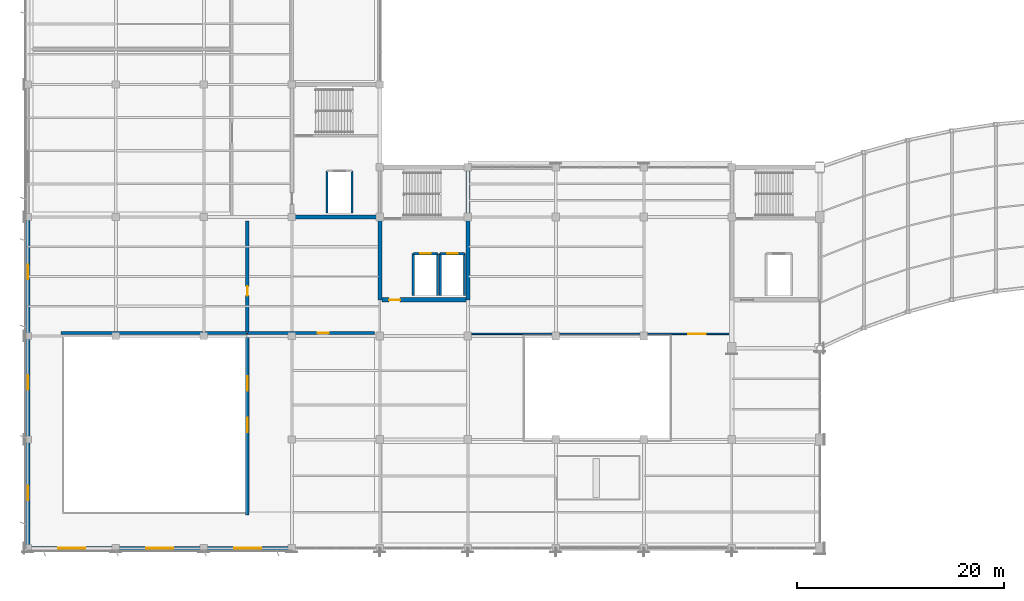
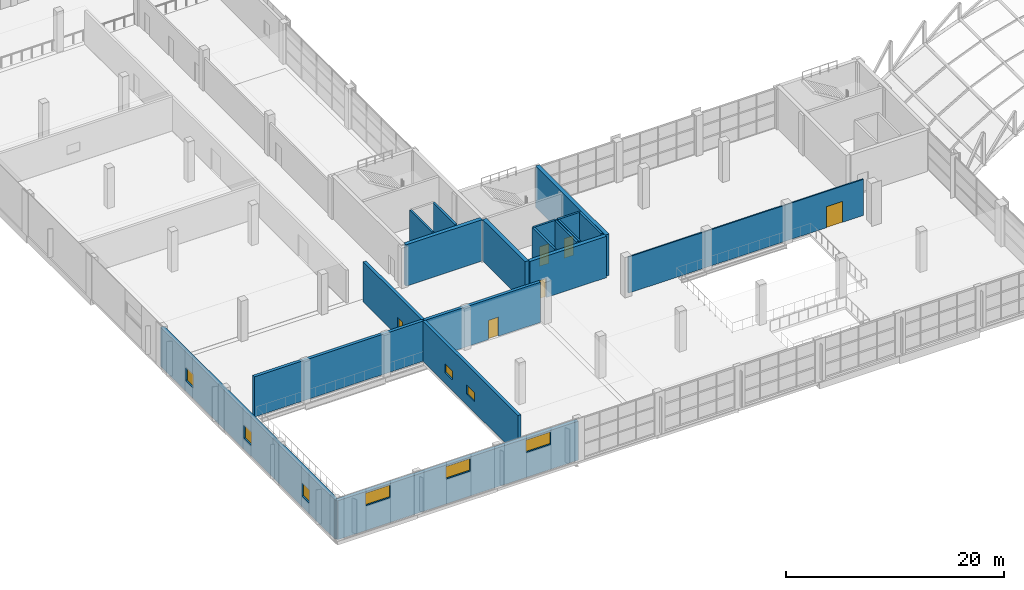
# One storey, part 82 of 101: 19 walls, 8 windows, 6 doors, 14 openings.
"""IFC4 building model written with IfcOpenShell, lengths in metres."""

from ifc_helpers import new_model, si_unit, direction, frame, frame_2d, origin, origin_with_axes, place, context, subcontext, project, spatial, rectangle, extrude, material, layer, layer_set, type_object, element, fill, save


model = new_model("IFC4")

# Units and contexts
model_context = context("Model", 3, precision=1e-05, world=origin(), true_north=direction((0.0, 1.0)))
body_context = subcontext(model_context, "Body", "Model", "MODEL_VIEW")
ifc_project = project(units=[si_unit("LENGTHUNIT", "METRE"), si_unit("AREAUNIT", "SQUARE_METRE"), si_unit("VOLUMEUNIT", "CUBIC_METRE"), si_unit("PLANEANGLEUNIT", "RADIAN"), si_unit("MASSUNIT", "GRAM", prefix="KILO")], contexts=[model_context])

# Site, building, storey
site_placement = place(None, origin())
site = spatial("IfcSite", under=ifc_project, at=site_placement, CompositionType="ELEMENT")
building_placement = place(site_placement, origin())
building = spatial("IfcBuilding", under=site, at=building_placement, Name="Solvikara Media Centre", CompositionType="ELEMENT")
storey_placement = place(building_placement, frame((0.0, 0.0, 10.199951171875)))
storey = spatial("IfcBuildingStorey", under=building, at=storey_placement, Name="L02", CompositionType="ELEMENT", Elevation=10.199951171875)

# Walls
ifc_material_1 = material(Name="Concrete fc' 45 MPa (C45/55)", Category="concrete")
ifc_layer_1 = layer(ifc_material_1, 0.39990234375)
ifc_layer_set_1 = layer_set([ifc_layer_1], Name="Concrete fc' 45 MPa (C45/55)")
wall_type_1 = type_object("IfcWallType", Name="WT-02", PredefinedType="SHEAR", material=ifc_layer_set_1)
wall_1_placement = place(storey_placement, frame((25.699951171875, 32.0, 0.0), z_axis=(0.0, 0.0, 1.0), x_axis=(1.0, 0.0, 0.0)))
element("IfcWall", 1, at=wall_1_placement, inside=storey, type_object=wall_type_1, Name="CW-C1-L02-S", PredefinedType="SHEAR", context=body_context, shape_type="SweptSolid", body=[
    extrude(rectangle(XDim=8.10009765625, YDim=0.39990234375, at=frame_2d((4.050048828125, 0.0))), origin(), (0.0, 0.0, 1.0), 4.64013671875),
])
wall_2_placement = place(storey_placement, frame((34.0, 24.0, 0.0), z_axis=(0.0, 0.0, 1.0), x_axis=(0.0, 1.0, 0.0)))
element("IfcWall", 2, at=wall_2_placement, inside=storey, type_object=wall_type_1, Name="CW-C2-L02-W", PredefinedType="SHEAR", context=body_context, shape_type="SweptSolid", body=[
    extrude(rectangle(XDim=7.800048828125, YDim=0.39990234375, at=frame_2d((3.89990234375, 0.0))), origin(), (0.0, 0.0, 1.0), 4.64013671875),
])
wall_3_placement = place(storey_placement, frame((42.5, 24.0, 0.0), z_axis=(0.0, 0.0, 1.0), x_axis=(0.0, 1.0, 0.0)))
element("IfcWall", 3, at=wall_3_placement, inside=storey, type_object=wall_type_1, Name="CW-C2-L02-E", PredefinedType="SHEAR", context=body_context, shape_type="SweptSolid", body=[
    extrude(rectangle(XDim=12.800048828125, YDim=0.39990234375, at=frame_2d((6.39990234375, 0.0))), origin(), (0.0, 0.0, 1.0), 4.64013671875),
])

# Wall, opening, door
wall_4_placement = place(storey_placement, frame((34.199951171875, 24.0, 0.0), z_axis=(0.0, 0.0, 1.0), x_axis=(1.0, 0.0, 0.0)))
wall_4 = element("IfcWall", 4, at=wall_4_placement, inside=storey, type_object=wall_type_1, Name="CW-C2-L02-S", PredefinedType="SHEAR", context=body_context, shape_type="SweptSolid", body=[
    extrude(rectangle(XDim=8.10009765625, YDim=0.39990234375, at=frame_2d((4.050048828125, 0.0))), origin(), (0.0, 0.0, 1.0), 4.64013671875),
])
opening_1_placement = place(wall_4_placement, frame((0.699951171875, 0.0, 0.0)))
opening_1 = element("IfcOpeningElement", 5, at=opening_1_placement, cuts=wall_4, Name="Opening D-C2-L02-LOB", PredefinedType="OPENING", context=body_context, shape_type="SweptSolid", body=[
    extrude(rectangle(XDim=1.050048828125, YDim=2.14990234375, at=frame_2d((0.52490234375, 1.074951171875))), frame((0.0, 0.2119140625, 0.0), z_axis=(0.0, -1.0, 0.0), x_axis=(1.0, 0.0, 0.0)), (0.0, 0.0, 1.0), 0.423828125),
])
ifc_material_2 = material(Name="Insulated fire-rated steel door leaf", Category="steel")
door_type_1 = type_object("IfcDoorType", Name="DT-10", OperationType="NOTDEFINED", PredefinedType="DOOR", material=ifc_material_2)
door_1_placement = place(opening_1_placement, frame((1.050048828125, 0.0, 0.0), z_axis=(0.0, 0.0, 1.0), x_axis=(-1.0, 0.0, 0.0)))
door_1 = element("IfcDoor", 6, at=door_1_placement, inside=storey, type_object=door_type_1, Name="D-C2-L02-LOB", OperationType="SINGLE_SWING_RIGHT", OverallHeight=2.14990234375, OverallWidth=1.050048828125, PredefinedType="DOOR", context=body_context, shape_type="SweptSolid", body=[
    extrude(rectangle(XDim=1.050048828125, YDim=2.14990234375, at=frame_2d((0.52490234375, 1.074951171875))), frame((0.0, 0.02490234375, 0.0), z_axis=(0.0, -1.0, 0.0), x_axis=(1.0, 0.0, 0.0)), (0.0, 0.0, 1.0), 0.050048828125),
])
fill(opening_1, door_1)

# Wall, openings, windows
ifc_layer_2 = layer(ifc_material_1, 0.320068359375)
ifc_layer_set_2 = layer_set([ifc_layer_2], Name="Concrete fc' 45 MPa (C45/55)")
wall_type_2 = type_object("IfcWallType", Name="WT-04", PredefinedType="SHEAR", material=ifc_layer_set_2)
wall_5_placement = place(storey_placement, frame((21.199951171875, 3.199951171875, 0.0), z_axis=(0.0, 0.0, 1.0), x_axis=(0.0, 1.0, 0.0)))
wall_5 = element("IfcWall", 7, at=wall_5_placement, inside=storey, type_object=wall_type_2, Name="PW-L02-056", PredefinedType="SHEAR", context=body_context, shape_type="SweptSolid", body=[
    extrude(rectangle(XDim=17.60009765625, YDim=0.320068359375, at=frame_2d((8.800048828125, 0.0))), origin(), (0.0, 0.0, 1.0), 4.5),
])
opening_2_placement = place(wall_5_placement, frame((8.0, 0.0, 1.199951171875)))
opening_2 = element("IfcOpeningElement", 8, at=opening_2_placement, cuts=wall_5, Name="Opening WI-L02-056-1", PredefinedType="OPENING", context=body_context, shape_type="SweptSolid", body=[
    extrude(rectangle(XDim=1.39990234375, YDim=1.0, at=frame_2d((0.699951171875, 0.5))), frame((0.0, 0.171875, 0.0), z_axis=(0.0, -1.0, 0.0), x_axis=(1.0, 0.0, 0.0)), (0.0, 0.0, 1.0), 0.343994140625),
])
opening_3_placement = place(wall_5_placement, frame((12.0, 0.0, 1.199951171875)))
opening_3 = element("IfcOpeningElement", 9, at=opening_3_placement, cuts=wall_5, Name="Opening WI-L02-056-2", PredefinedType="OPENING", context=body_context, shape_type="SweptSolid", body=[
    extrude(rectangle(XDim=1.39990234375, YDim=1.0, at=frame_2d((0.699951171875, 0.5))), frame((0.0, 0.171875, 0.0), z_axis=(0.0, -1.0, 0.0), x_axis=(1.0, 0.0, 0.0)), (0.0, 0.0, 1.0), 0.343994140625),
])
ifc_material_3 = material(Name="Double-glazed low-E architectural glass", Category="glass")
window_type_1 = type_object("IfcWindowType", Name="WN-15", PartitioningType="SINGLE_PANEL", PredefinedType="WINDOW", material=ifc_material_3)
window_1_placement = place(opening_2_placement, origin())
window_1 = element("IfcWindow", 10, at=window_1_placement, inside=storey, type_object=window_type_1, Name="WI-L02-056-1", OverallHeight=1.0, OverallWidth=1.39990234375, PartitioningType="SINGLE_PANEL", PredefinedType="WINDOW", context=body_context, shape_type="SweptSolid", body=[
    extrude(rectangle(XDim=1.39990234375, YDim=1.0, at=frame_2d((0.699951171875, 0.5))), frame((0.0, 0.030029296875, 0.0), z_axis=(0.0, -1.0, 0.0), x_axis=(1.0, 0.0, 0.0)), (0.0, 0.0, 1.0), 0.06005859375),
])
fill(opening_2, window_1)
window_2_placement = place(opening_3_placement, origin())
window_2 = element("IfcWindow", 11, at=window_2_placement, inside=storey, type_object=window_type_1, Name="WI-L02-056-2", OverallHeight=1.0, OverallWidth=1.39990234375, PartitioningType="SINGLE_PANEL", PredefinedType="WINDOW", context=body_context, shape_type="SweptSolid", body=[
    extrude(rectangle(XDim=1.39990234375, YDim=1.0, at=frame_2d((0.699951171875, 0.5))), frame((0.0, 0.030029296875, 0.0), z_axis=(0.0, -1.0, 0.0), x_axis=(1.0, 0.0, 0.0)), (0.0, 0.0, 1.0), 0.06005859375),
])
fill(opening_3, window_2)

# Wall, opening, door
wall_6_placement = place(storey_placement, frame((21.199951171875, 20.800048828125, 0.0), z_axis=(0.0, 0.0, 1.0), x_axis=(1.0, 0.0, 0.0)))
wall_6 = element("IfcWall", 12, at=wall_6_placement, inside=storey, type_object=wall_type_2, Name="PW-L02-057", PredefinedType="SHEAR", context=body_context, shape_type="SweptSolid", body=[
    extrude(rectangle(XDim=12.300048828125, YDim=0.320068359375, at=frame_2d((6.14990234375, 0.0))), origin(), (0.0, 0.0, 1.0), 4.5),
])
opening_4_placement = place(wall_6_placement, frame((6.800048828125, 0.0, 0.0)))
opening_4 = element("IfcOpeningElement", 13, at=opening_4_placement, cuts=wall_6, Name="Opening D-L02-057-1", PredefinedType="OPENING", context=body_context, shape_type="SweptSolid", body=[
    extrude(rectangle(XDim=1.050048828125, YDim=2.14990234375, at=frame_2d((0.52490234375, 1.074951171875))), frame((0.0, 0.171875, 0.0), z_axis=(0.0, -1.0, 0.0), x_axis=(1.0, 0.0, 0.0)), (0.0, 0.0, 1.0), 0.343994140625),
])
door_2_placement = place(opening_4_placement, origin())
door_2 = element("IfcDoor", 14, at=door_2_placement, inside=storey, type_object=door_type_1, Name="D-L02-057-1", OperationType="SINGLE_SWING_LEFT", OverallHeight=2.14990234375, OverallWidth=1.050048828125, PredefinedType="DOOR", context=body_context, shape_type="SweptSolid", body=[
    extrude(rectangle(XDim=1.050048828125, YDim=2.14990234375, at=frame_2d((0.52490234375, 1.074951171875))), frame((0.0, 0.02490234375, 0.0), z_axis=(0.0, -1.0, 0.0), x_axis=(1.0, 0.0, 0.0)), (0.0, 0.0, 1.0), 0.050048828125),
])
fill(opening_4, door_2)

wall_7_placement = place(storey_placement, frame((21.199951171875, 20.89990234375, 0.0), z_axis=(0.0, 0.0, 1.0), x_axis=(0.0, 1.0, 0.0)))
wall_7 = element("IfcWall", 15, at=wall_7_placement, inside=storey, type_object=wall_type_2, Name="PW-L02-058", PredefinedType="SHEAR", context=body_context, shape_type="SweptSolid", body=[
    extrude(rectangle(XDim=10.7001953125, YDim=0.320068359375, at=frame_2d((5.35009765625, 0.0))), origin(), (0.0, 0.0, 1.0), 4.5),
])
opening_5_placement = place(wall_7_placement, frame((3.5, 0.0, 0.0)))
opening_5 = element("IfcOpeningElement", 16, at=opening_5_placement, cuts=wall_7, Name="Opening D-L02-058-1", PredefinedType="OPENING", context=body_context, shape_type="SweptSolid", body=[
    extrude(rectangle(XDim=0.89990234375, YDim=2.10009765625, at=frame_2d((0.449951171875, 1.050048828125))), frame((0.0, 0.171875, 0.0), z_axis=(0.0, -1.0, 0.0), x_axis=(1.0, 0.0, 0.0)), (0.0, 0.0, 1.0), 0.343994140625),
])
door_type_2 = type_object("IfcDoorType", Name="DT-11", OperationType="NOTDEFINED", PredefinedType="DOOR", material=ifc_material_2)
door_3_placement = place(opening_5_placement, frame((0.89990234375, 0.0, 0.0), z_axis=(0.0, 0.0, 1.0), x_axis=(-1.0, 0.0, 0.0)))
door_3 = element("IfcDoor", 17, at=door_3_placement, inside=storey, type_object=door_type_2, Name="D-L02-058-1", OperationType="SINGLE_SWING_RIGHT", OverallHeight=2.10009765625, OverallWidth=0.89990234375, PredefinedType="DOOR", context=body_context, shape_type="SweptSolid", body=[
    extrude(rectangle(XDim=0.89990234375, YDim=2.10009765625, at=frame_2d((0.449951171875, 1.050048828125))), frame((0.0, 0.02490234375, 0.0), z_axis=(0.0, -1.0, 0.0), x_axis=(1.0, 0.0, 0.0)), (0.0, 0.0, 1.0), 0.050048828125),
])
fill(opening_5, door_3)

# Wall
wall_8_placement = place(storey_placement, frame((3.199951171875, 20.800048828125, 0.0), z_axis=(0.0, 0.0, 1.0), x_axis=(1.0, 0.0, 0.0)))
element("IfcWall", 18, at=wall_8_placement, inside=storey, type_object=wall_type_2, Name="PW-L02-059", PredefinedType="SHEAR", context=body_context, shape_type="SweptSolid", body=[
    extrude(rectangle(XDim=17.900146484375, YDim=0.320068359375, at=frame_2d((8.9501953125, 0.0))), origin(), (0.0, 0.0, 1.0), 4.5),
])

# Wall, openings, windows
ifc_material_4 = material(Name="Precast concrete fc' 40 MPa (C40/50)", Category="concrete")
ifc_layer_3 = layer(ifc_material_4, 0.3798828125)
ifc_layer_set_3 = layer_set([ifc_layer_3], Name="Precast concrete fc' 40 MPa (C40/50)")
wall_type_3 = type_object("IfcWallType", Name="WT-08", PredefinedType="STANDARD", material=ifc_layer_set_3)
wall_9_placement = place(storey_placement, origin_with_axes())
wall_9 = element("IfcWall", 19, at=wall_9_placement, inside=storey, type_object=wall_type_3, Name="EW-L02-V1-S", PredefinedType="STANDARD", context=body_context, shape_type="SweptSolid", body=[
    extrude(rectangle(XDim=25.5, YDim=0.3798828125, at=frame_2d((12.75, 0.0))), origin(), (0.0, 0.0, 1.0), 4.3701171875),
])
opening_6_placement = place(wall_9_placement, frame((2.949951171875, 0.0, 2.800048828125)))
opening_6 = element("IfcOpeningElement", 20, at=opening_6_placement, cuts=wall_9, Name="Opening W-L02-V1S-W01", PredefinedType="OPENING", context=body_context, shape_type="SweptSolid", body=[
    extrude(rectangle(XDim=2.60009765625, YDim=1.39990234375, at=frame_2d((1.300048828125, 0.699951171875))), frame((0.0, 0.201904296875, 0.0), z_axis=(0.0, -1.0, 0.0), x_axis=(1.0, 0.0, 0.0)), (0.0, 0.0, 1.0), 0.40380859375),
])
opening_7_placement = place(wall_9_placement, frame((11.449951171875, 0.0, 2.800048828125)))
opening_7 = element("IfcOpeningElement", 21, at=opening_7_placement, cuts=wall_9, Name="Opening W-L02-V1S-W02", PredefinedType="OPENING", context=body_context, shape_type="SweptSolid", body=[
    extrude(rectangle(XDim=2.60009765625, YDim=1.39990234375, at=frame_2d((1.300048828125, 0.699951171875))), frame((0.0, 0.201904296875, 0.0), z_axis=(0.0, -1.0, 0.0), x_axis=(1.0, 0.0, 0.0)), (0.0, 0.0, 1.0), 0.40380859375),
])
opening_8_placement = place(wall_9_placement, frame((19.949951171875, 0.0, 2.800048828125)))
opening_8 = element("IfcOpeningElement", 22, at=opening_8_placement, cuts=wall_9, Name="Opening W-L02-V1S-W03", PredefinedType="OPENING", context=body_context, shape_type="SweptSolid", body=[
    extrude(rectangle(XDim=2.60009765625, YDim=1.39990234375, at=frame_2d((1.300048828125, 0.699951171875))), frame((0.0, 0.201904296875, 0.0), z_axis=(0.0, -1.0, 0.0), x_axis=(1.0, 0.0, 0.0)), (0.0, 0.0, 1.0), 0.40380859375),
])
window_type_2 = type_object("IfcWindowType", Name="WN-09", PartitioningType="SINGLE_PANEL", PredefinedType="WINDOW", material=ifc_material_3)
window_3_placement = place(opening_6_placement, origin())
window_3 = element("IfcWindow", 23, at=window_3_placement, inside=storey, type_object=window_type_2, Name="W-L02-V1S-W01", OverallHeight=1.39990234375, OverallWidth=2.60009765625, PartitioningType="SINGLE_PANEL", PredefinedType="WINDOW", context=body_context, shape_type="SweptSolid", body=[
    extrude(rectangle(XDim=2.60009765625, YDim=1.39990234375, at=frame_2d((1.300048828125, 0.699951171875))), frame((0.0, 0.030029296875, 0.0), z_axis=(0.0, -1.0, 0.0), x_axis=(1.0, 0.0, 0.0)), (0.0, 0.0, 1.0), 0.06005859375),
])
fill(opening_6, window_3)
window_4_placement = place(opening_7_placement, origin())
window_4 = element("IfcWindow", 24, at=window_4_placement, inside=storey, type_object=window_type_2, Name="W-L02-V1S-W02", OverallHeight=1.39990234375, OverallWidth=2.60009765625, PartitioningType="SINGLE_PANEL", PredefinedType="WINDOW", context=body_context, shape_type="SweptSolid", body=[
    extrude(rectangle(XDim=2.60009765625, YDim=1.39990234375, at=frame_2d((1.300048828125, 0.699951171875))), frame((0.0, 0.030029296875, 0.0), z_axis=(0.0, -1.0, 0.0), x_axis=(1.0, 0.0, 0.0)), (0.0, 0.0, 1.0), 0.06005859375),
])
fill(opening_7, window_4)
window_5_placement = place(opening_8_placement, origin())
window_5 = element("IfcWindow", 25, at=window_5_placement, inside=storey, type_object=window_type_2, Name="W-L02-V1S-W03", OverallHeight=1.39990234375, OverallWidth=2.60009765625, PartitioningType="SINGLE_PANEL", PredefinedType="WINDOW", context=body_context, shape_type="SweptSolid", body=[
    extrude(rectangle(XDim=2.60009765625, YDim=1.39990234375, at=frame_2d((1.300048828125, 0.699951171875))), frame((0.0, 0.030029296875, 0.0), z_axis=(0.0, -1.0, 0.0), x_axis=(1.0, 0.0, 0.0)), (0.0, 0.0, 1.0), 0.06005859375),
])
fill(opening_8, window_5)

wall_10_placement = place(storey_placement, frame((0.0, 0.0, 0.0), z_axis=(0.0, 0.0, 1.0), x_axis=(0.0, 1.0, 0.0)))
wall_10 = element("IfcWall", 26, at=wall_10_placement, inside=storey, type_object=wall_type_3, Name="EW-L02-V1-W", PredefinedType="STANDARD", context=body_context, shape_type="SweptSolid", body=[
    extrude(rectangle(XDim=32.0, YDim=0.3798828125, at=frame_2d((16.0, 0.0))), origin(), (0.0, 0.0, 1.0), 4.3701171875),
])
opening_9_placement = place(wall_10_placement, frame((4.633056640625, 0.0, 1.199951171875)))
opening_9 = element("IfcOpeningElement", 27, at=opening_9_placement, cuts=wall_10, Name="Opening W-L02-V1W-W01", PredefinedType="OPENING", context=body_context, shape_type="SweptSolid", body=[
    extrude(rectangle(XDim=1.39990234375, YDim=1.5, at=frame_2d((0.699951171875, 0.75))), frame((0.0, 0.201904296875, 0.0), z_axis=(0.0, -1.0, 0.0), x_axis=(1.0, 0.0, 0.0)), (0.0, 0.0, 1.0), 0.40380859375),
])
opening_10_placement = place(wall_10_placement, frame((15.300048828125, 0.0, 1.199951171875)))
opening_10 = element("IfcOpeningElement", 28, at=opening_10_placement, cuts=wall_10, Name="Opening W-L02-V1W-W02", PredefinedType="OPENING", context=body_context, shape_type="SweptSolid", body=[
    extrude(rectangle(XDim=1.39990234375, YDim=1.5, at=frame_2d((0.699951171875, 0.75))), frame((0.0, 0.201904296875, 0.0), z_axis=(0.0, -1.0, 0.0), x_axis=(1.0, 0.0, 0.0)), (0.0, 0.0, 1.0), 0.40380859375),
])
opening_11_placement = place(wall_10_placement, frame((25.967041015625, 0.0, 1.199951171875)))
opening_11 = element("IfcOpeningElement", 29, at=opening_11_placement, cuts=wall_10, Name="Opening W-L02-V1W-W03", PredefinedType="OPENING", context=body_context, shape_type="SweptSolid", body=[
    extrude(rectangle(XDim=1.39990234375, YDim=1.5, at=frame_2d((0.699951171875, 0.75))), frame((0.0, 0.201904296875, 0.0), z_axis=(0.0, -1.0, 0.0), x_axis=(1.0, 0.0, 0.0)), (0.0, 0.0, 1.0), 0.40380859375),
])
window_type_3 = type_object("IfcWindowType", Name="WN-12", PartitioningType="SINGLE_PANEL", PredefinedType="WINDOW", material=ifc_material_3)
window_6_placement = place(opening_9_placement, origin())
window_6 = element("IfcWindow", 30, at=window_6_placement, inside=storey, type_object=window_type_3, Name="W-L02-V1W-W01", OverallHeight=1.5, OverallWidth=1.39990234375, PartitioningType="SINGLE_PANEL", PredefinedType="WINDOW", context=body_context, shape_type="SweptSolid", body=[
    extrude(rectangle(XDim=1.39990234375, YDim=1.5, at=frame_2d((0.699951171875, 0.75))), frame((0.0, 0.030029296875, 0.0), z_axis=(0.0, -1.0, 0.0), x_axis=(1.0, 0.0, 0.0)), (0.0, 0.0, 1.0), 0.06005859375),
])
fill(opening_9, window_6)
window_7_placement = place(opening_10_placement, origin())
window_7 = element("IfcWindow", 31, at=window_7_placement, inside=storey, type_object=window_type_3, Name="W-L02-V1W-W02", OverallHeight=1.5, OverallWidth=1.39990234375, PartitioningType="SINGLE_PANEL", PredefinedType="WINDOW", context=body_context, shape_type="SweptSolid", body=[
    extrude(rectangle(XDim=1.39990234375, YDim=1.5, at=frame_2d((0.699951171875, 0.75))), frame((0.0, 0.030029296875, 0.0), z_axis=(0.0, -1.0, 0.0), x_axis=(1.0, 0.0, 0.0)), (0.0, 0.0, 1.0), 0.06005859375),
])
fill(opening_10, window_7)
window_8_placement = place(opening_11_placement, origin())
window_8 = element("IfcWindow", 32, at=window_8_placement, inside=storey, type_object=window_type_3, Name="W-L02-V1W-W03", OverallHeight=1.5, OverallWidth=1.39990234375, PartitioningType="SINGLE_PANEL", PredefinedType="WINDOW", context=body_context, shape_type="SweptSolid", body=[
    extrude(rectangle(XDim=1.39990234375, YDim=1.5, at=frame_2d((0.699951171875, 0.75))), frame((0.0, 0.030029296875, 0.0), z_axis=(0.0, -1.0, 0.0), x_axis=(1.0, 0.0, 0.0)), (0.0, 0.0, 1.0), 0.06005859375),
])
fill(opening_11, window_8)

# Walls
ifc_material_5 = material(Name="Fire-rated gypsum and mineral-wool shaft wall assembly")
ifc_layer_4 = layer(ifc_material_5, 0.2099609375)
ifc_layer_set_4 = layer_set([ifc_layer_4], Name="Fire-rated gypsum and mineral-wool shaft wall assembly")
wall_type_4 = type_object("IfcWallType", Name="WT-17", PredefinedType="PARTITIONING", material=ifc_layer_set_4)
for number, where, z_axis, x_axis, name in (
    (33, (28.8798828125, 32.39990234375, 0.0), (0.0, 0.0, 1.0), (0.0, 1.0, 0.0), "LW-LF-S1-L02-W"),
    (34, (31.320068359375, 32.39990234375, 0.0), (0.0, 0.0, 1.0), (0.0, 1.0, 0.0), "LW-LF-S1-L02-E"),
    (35, (37.22998046875, 24.39990234375, 0.0), (0.0, 0.0, 1.0), (0.0, 1.0, 0.0), "LW-LF-P1-L02-W"),
    (36, (39.570068359375, 24.39990234375, 0.0), (0.0, 0.0, 1.0), (0.0, 1.0, 0.0), "LW-LF-P1-L02-E"),
):
    element("IfcWall", number, at=place(storey_placement, frame(where, z_axis=z_axis, x_axis=x_axis)), inside=storey, type_object=wall_type_4, Name=name, PredefinedType="PARTITIONING", context=body_context, shape_type="SweptSolid", body=[
        extrude(rectangle(XDim=4.050048828125, YDim=0.2099609375, at=frame_2d((2.02490234375, 0.0))), origin(), (0.0, 0.0, 1.0), 4.64013671875),
    ])

# Wall, opening, door
wall_11_placement = place(storey_placement, frame((37.22998046875, 28.449951171875, 0.0), z_axis=(0.0, 0.0, 1.0), x_axis=(1.0, 0.0, 0.0)))
wall_11 = element("IfcWall", 37, at=wall_11_placement, inside=storey, type_object=wall_type_4, Name="LW-LF-P1-L02-N", PredefinedType="PARTITIONING", context=body_context, shape_type="SweptSolid", body=[
    extrude(rectangle(XDim=2.340087890625, YDim=0.2099609375, at=frame_2d((1.169921875, 0.0))), origin(), (0.0, 0.0, 1.0), 4.64013671875),
])
opening_12_placement = place(wall_11_placement, frame((0.669921875, 0.0, 0.0)))
opening_12 = element("IfcOpeningElement", 38, at=opening_12_placement, cuts=wall_11, Name="Opening LD-LF-P1-L02", PredefinedType="OPENING", context=body_context, shape_type="SweptSolid", body=[
    extrude(rectangle(XDim=1.0, YDim=2.199951171875, at=frame_2d((0.5, 1.10009765625))), frame((0.0, 0.116943359375, 0.0), z_axis=(0.0, -1.0, 0.0), x_axis=(1.0, 0.0, 0.0)), (0.0, 0.0, 1.0), 0.23388671875),
])
door_type_3 = type_object("IfcDoorType", Name="LD-02", OperationType="DOUBLE_DOOR_SLIDING", PredefinedType="DOOR", material=ifc_material_2)
door_4_placement = place(opening_12_placement, origin())
door_4 = element("IfcDoor", 39, at=door_4_placement, inside=storey, type_object=door_type_3, Name="LD-LF-P1-L02", OperationType="DOUBLE_DOOR_SLIDING", OverallHeight=2.199951171875, OverallWidth=1.0, PredefinedType="DOOR", context=body_context, shape_type="SweptSolid", body=[
    extrude(rectangle(XDim=1.0, YDim=2.199951171875, at=frame_2d((0.5, 1.10009765625))), frame((0.0, 0.02490234375, 0.0), z_axis=(0.0, -1.0, 0.0), x_axis=(1.0, 0.0, 0.0)), (0.0, 0.0, 1.0), 0.050048828125),
])
fill(opening_12, door_4)

# Walls
for number, where, z_axis, x_axis, name in (
    (40, (39.830078125, 24.39990234375, 0.0), (0.0, 0.0, 1.0), (0.0, 1.0, 0.0), "LW-LF-P2-L02-W"),
    (41, (42.169921875, 24.39990234375, 0.0), (0.0, 0.0, 1.0), (0.0, 1.0, 0.0), "LW-LF-P2-L02-E"),
):
    element("IfcWall", number, at=place(storey_placement, frame(where, z_axis=z_axis, x_axis=x_axis)), inside=storey, type_object=wall_type_4, Name=name, PredefinedType="PARTITIONING", context=body_context, shape_type="SweptSolid", body=[
        extrude(rectangle(XDim=4.050048828125, YDim=0.2099609375, at=frame_2d((2.02490234375, 0.0))), origin(), (0.0, 0.0, 1.0), 4.64013671875),
    ])

# Wall, opening, door
wall_12_placement = place(storey_placement, frame((39.830078125, 28.449951171875, 0.0), z_axis=(0.0, 0.0, 1.0), x_axis=(1.0, 0.0, 0.0)))
wall_12 = element("IfcWall", 42, at=wall_12_placement, inside=storey, type_object=wall_type_4, Name="LW-LF-P2-L02-N", PredefinedType="PARTITIONING", context=body_context, shape_type="SweptSolid", body=[
    extrude(rectangle(XDim=2.33984375, YDim=0.2099609375, at=frame_2d((1.169921875, 0.0))), origin(), (0.0, 0.0, 1.0), 4.64013671875),
])
opening_13_placement = place(wall_12_placement, frame((0.669921875, 0.0, 0.0)))
opening_13 = element("IfcOpeningElement", 43, at=opening_13_placement, cuts=wall_12, Name="Opening LD-LF-P2-L02", PredefinedType="OPENING", context=body_context, shape_type="SweptSolid", body=[
    extrude(rectangle(XDim=1.0, YDim=2.199951171875, at=frame_2d((0.5, 1.10009765625))), frame((0.0, 0.116943359375, 0.0), z_axis=(0.0, -1.0, 0.0), x_axis=(1.0, 0.0, 0.0)), (0.0, 0.0, 1.0), 0.23388671875),
])
door_5_placement = place(opening_13_placement, origin())
door_5 = element("IfcDoor", 44, at=door_5_placement, inside=storey, type_object=door_type_3, Name="LD-LF-P2-L02", OperationType="DOUBLE_DOOR_SLIDING", OverallHeight=2.199951171875, OverallWidth=1.0, PredefinedType="DOOR", context=body_context, shape_type="SweptSolid", body=[
    extrude(rectangle(XDim=1.0, YDim=2.199951171875, at=frame_2d((0.5, 1.10009765625))), frame((0.0, 0.02490234375, 0.0), z_axis=(0.0, -1.0, 0.0), x_axis=(1.0, 0.0, 0.0)), (0.0, 0.0, 1.0), 0.050048828125),
])
fill(opening_13, door_5)

ifc_material_6 = material(Name="Double-stud acoustic gypsum partition assembly")
ifc_layer_5 = layer(ifc_material_6, 0.139892578125)
ifc_layer_set_5 = layer_set([ifc_layer_5], Name="Double-stud acoustic gypsum partition assembly")
wall_type_5 = type_object("IfcWallType", Name="WT-20", PredefinedType="PARTITIONING", material=ifc_layer_set_5)
wall_13_placement = place(storey_placement, frame((42.800048828125, 20.699951171875, 0.0), z_axis=(0.0, 0.0, 1.0), x_axis=(1.0, 0.0, 0.0)))
wall_13 = element("IfcWall", 45, at=wall_13_placement, inside=storey, type_object=wall_type_5, Name="PW-L02-065", PredefinedType="PARTITIONING", context=body_context, shape_type="SweptSolid", body=[
    extrude(rectangle(XDim=24.89990234375, YDim=0.139892578125, at=frame_2d((12.449951171875, 0.0))), origin(), (0.0, 0.0, 1.0), 4.06201171875),
])
opening_14_placement = place(wall_13_placement, frame((21.0, 0.0, 0.0)))
opening_14 = element("IfcOpeningElement", 46, at=opening_14_placement, cuts=wall_13, Name="Opening D-L02-065-1", PredefinedType="OPENING", context=body_context, shape_type="SweptSolid", body=[
    extrude(rectangle(XDim=1.699951171875, YDim=2.35009765625, at=frame_2d((0.85009765625, 1.175048828125))), frame((0.0, 0.08203125, 0.0), z_axis=(0.0, -1.0, 0.0), x_axis=(1.0, 0.0, 0.0)), (0.0, 0.0, 1.0), 0.163818359375),
])
ifc_material_7 = material(Name="Anodised aluminium EN AW-6063", Category="aluminium")
door_type_4 = type_object("IfcDoorType", Name="DT-21", OperationType="DOUBLE_DOOR_SINGLE_SWING", PredefinedType="DOOR", material=ifc_material_7)
door_6_placement = place(opening_14_placement, origin())
door_6 = element("IfcDoor", 47, at=door_6_placement, inside=storey, type_object=door_type_4, Name="D-L02-065-1", OperationType="DOUBLE_DOOR_SINGLE_SWING", OverallHeight=2.35009765625, OverallWidth=1.699951171875, PredefinedType="DOOR", context=body_context, shape_type="SweptSolid", body=[
    extrude(rectangle(XDim=1.699951171875, YDim=2.35009765625, at=frame_2d((0.85009765625, 1.175048828125))), frame((0.0, 0.02490234375, 0.0), z_axis=(0.0, -1.0, 0.0), x_axis=(1.0, 0.0, 0.0)), (0.0, 0.0, 1.0), 0.050048828125),
])
fill(opening_14, door_6)

save(model, "model.ifc")
